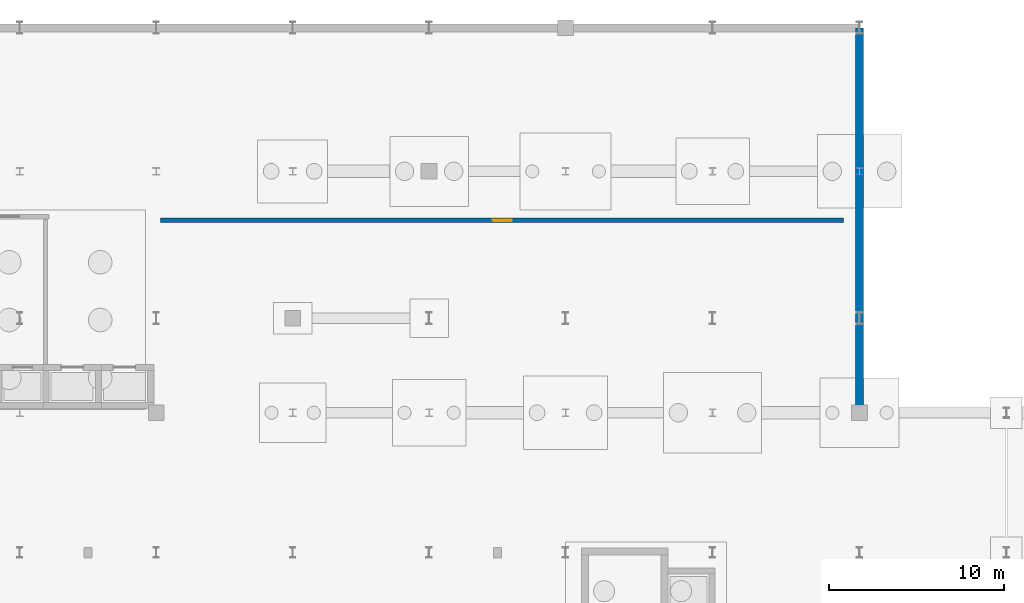
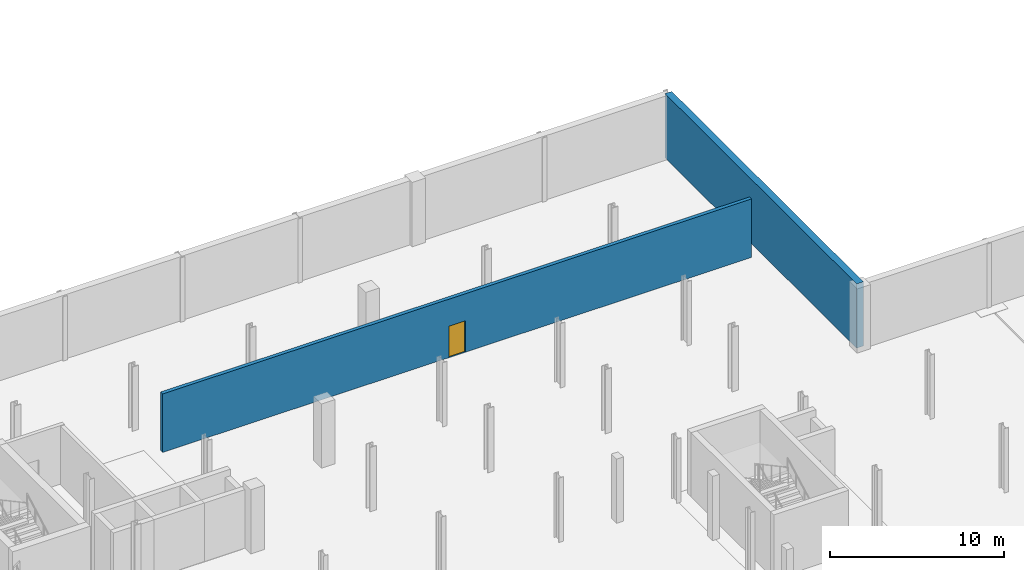
# One storey, part 30 of 45: 2 walls, 1 door, 1 opening.
"""IFC4 building model written with IfcOpenShell, lengths in metres."""

import ifcopenshell
import ifcopenshell.guid

model = None  # the IFC model being written
_history = None  # IfcOwnerHistory: only IFC2X3 demands one
_inside = {}  # id of a spatial element -> (the spatial element, [elements in it])
_under = {}  # id of a project, library or spatial element -> (it, [spatial elements below it])
_declared = {}  # id of a project -> (the project, [libraries it declares])
_typed = {}  # id of a type object -> (the type object, [elements of that type])
_made_of = {}  # id of a material, layer set ... -> (it, [elements and type objects made of it])


def new_model(schema):
    """Start an empty IFC model of exactly this schema.

    Asked for "IFC4X3", IfcOpenShell would pick the latest addendum, in which some entities
    have other attributes; the version numbers below select the first issue.
    IFC2X3 requires an IfcOwnerHistory on every rooted entity: one is made here for all.
    """
    global model, _history
    if schema == "IFC4X3":
        model = ifcopenshell.file(schema_version=(4, 3, 0, 0))
    else:
        model = ifcopenshell.file(schema=schema)
    _inside.clear()
    _under.clear()
    _declared.clear()
    _typed.clear()
    _made_of.clear()
    _history = None
    if model.schema == "IFC2X3":
        org = make("IfcOrganization", Name="unknown")
        user = make(
            "IfcPersonAndOrganization",
            ThePerson=make("IfcPerson", FamilyName="unknown"),
            TheOrganization=org,
        )
        app = make(
            "IfcApplication",
            ApplicationDeveloper=org,
            Version="unknown",
            ApplicationFullName="unknown",
            ApplicationIdentifier="unknown",
        )
        _history = make(
            "IfcOwnerHistory",
            OwningUser=user,
            OwningApplication=app,
            ChangeAction="ADDED",
            CreationDate=0,
        )
    return model


def make(cls, **values):
    """One entity of the class cls with the attributes given. An attribute that is None is left unset."""
    return model.create_entity(
        cls, **{name: value for name, value in values.items() if value is not None}
    )


def rooted(cls, **values):
    """An entity with a GlobalId (a new one), such as an element, a storey or a relation."""
    return make(cls, GlobalId=ifcopenshell.guid.new(), OwnerHistory=_history, **values)


def si_unit(unit_type, name, prefix=None):
    """IfcSIUnit, for example si_unit("LENGTHUNIT", "METRE", prefix="MILLI")."""
    return make("IfcSIUnit", UnitType=unit_type, Prefix=prefix, Name=name)


def assignment(units):
    """IfcUnitAssignment: the units of a project."""
    return None if units is None else make("IfcUnitAssignment", Units=units)


def point(xyz):
    """IfcCartesianPoint."""
    return None if xyz is None else make("IfcCartesianPoint", Coordinates=xyz)


def direction(xyz):
    """IfcDirection."""
    return None if xyz is None else make("IfcDirection", DirectionRatios=xyz)


def frame(location, z_axis=None, x_axis=None):
    """IfcAxis2Placement3D, a coordinate frame: its origin and axes. An axis left out is left unset."""
    return make(
        "IfcAxis2Placement3D",
        Location=point(location),
        Axis=direction(z_axis),
        RefDirection=direction(x_axis),
    )


def frame_2d(location, x_axis=None):
    """IfcAxis2Placement2D, a coordinate frame in the plane: its origin and x axis."""
    return make(
        "IfcAxis2Placement2D", Location=point(location), RefDirection=direction(x_axis)
    )


def origin():
    """The frame at (0, 0, 0) with its axes left unset."""
    return frame((0.0, 0.0, 0.0))


def place(relative_to, where):
    """IfcLocalPlacement: puts the frame where relative to a parent placement (None: the world)."""
    return make(
        "IfcLocalPlacement", PlacementRelTo=relative_to, RelativePlacement=where
    )


def context(
    kind, dimensions, precision=None, world=None, true_north=None, identifier=None
):
    """IfcGeometricRepresentationContext, for example the 3D "Model" context."""
    return make(
        "IfcGeometricRepresentationContext",
        ContextIdentifier=identifier,
        ContextType=kind,
        CoordinateSpaceDimension=dimensions,
        Precision=precision,
        WorldCoordinateSystem=world,
        TrueNorth=true_north,
    )


def subcontext(parent, identifier, kind, view, scale=None):
    """IfcGeometricRepresentationSubContext, for example "Body" below "Model"."""
    return make(
        "IfcGeometricRepresentationSubContext",
        ContextIdentifier=identifier,
        ContextType=kind,
        ParentContext=parent,
        TargetScale=scale,
        TargetView=view,
    )


def project(units=None, contexts=None):
    """IfcProject with its units and contexts."""
    return rooted(
        "IfcProject",
        Name="project",
        RepresentationContexts=contexts,
        UnitsInContext=assignment(units),
    )


def spatial(cls, under=None, at=None, **own):
    """A site, building, storey or space (cls), placed at a placement, below another one or the project."""
    s = rooted(cls, ObjectPlacement=at, **own)
    if under is not None:
        _under.setdefault(under.id(), (under, []))[1].append(s)
    return s


def profile(cls, at=None, kind="AREA", **sizes):
    """A parametric profile (cls). Its sizes go by their IFC names, for example OverallWidth=200.0."""
    return make(cls, ProfileType=kind, Position=at, **sizes)


def rectangle(**sizes):
    """IfcRectangleProfileDef."""
    return profile("IfcRectangleProfileDef", **sizes)


def extrude(swept, where, along, depth):
    """IfcExtrudedAreaSolid: the profile swept, set in the frame where, extruded along a direction by depth."""
    return make(
        "IfcExtrudedAreaSolid",
        SweptArea=swept,
        Position=where,
        ExtrudedDirection=direction(along),
        Depth=depth,
    )


def shape(context_of_items, identifier, shape_type, items):
    """IfcShapeRepresentation: the items that make up one representation, for example the "Body"."""
    return make(
        "IfcShapeRepresentation",
        ContextOfItems=context_of_items,
        RepresentationIdentifier=identifier,
        RepresentationType=shape_type,
        Items=items,
    )


def material(Name=None, Category=None):
    """IfcMaterial."""
    return make("IfcMaterial", Name=Name, Category=Category)


def layer(
    of_material, thickness, ventilated=None, Name=None, Category=None, Priority=None
):
    """IfcMaterialLayer: one layer of a wall or slab, of a material (None: an air gap)."""
    return make(
        "IfcMaterialLayer",
        Material=of_material,
        LayerThickness=thickness,
        IsVentilated=ventilated,
        Name=Name,
        Category=Category,
        Priority=Priority,
    )


def layer_set(layers, Name=None):
    """IfcMaterialLayerSet."""
    return make("IfcMaterialLayerSet", MaterialLayers=layers, LayerSetName=Name)


def made_of(thing, what):
    """Note that an element or type object is made of a material, layer set ...; save() writes the relation."""
    if what is not None:
        _made_of.setdefault(what.id(), (what, []))[1].append(thing)
    return thing


def type_object(cls, material=None, **own):
    """A type object (cls), such as IfcWallType, which elements share."""
    return made_of(rooted(cls, **own), material)


def element(
    cls,
    number,
    at=None,
    inside=None,
    cuts=None,
    type_object=None,
    material=None,
    context=None,
    identifier="Body",
    shape_type=None,
    held_by="IfcProductDefinitionShape",
    body=None,
    shapes=None,
    **own,
):
    """One element of the class cls, such as IfcWall. Its Tag is "e" and its number.

    at: its placement. inside: the storey or other place that contains it. cuts: it is an
    opening in that element (IfcRelVoidsElement). A single representation is given by context,
    identifier, shape_type and body (its items); several are given by shapes. held_by: the class
    of the entity that holds the representations. save() writes the other relations.
    """
    e = rooted(cls, Tag="e%d" % number, ObjectPlacement=at, **own)
    if body is not None:
        shapes = [shape(context, identifier, shape_type, body)]
    if shapes is not None:
        e.Representation = make(held_by, Representations=shapes)
    if inside is not None:
        _inside.setdefault(inside.id(), (inside, []))[1].append(e)
    if cuts is not None:
        rooted(
            "IfcRelVoidsElement", RelatingBuildingElement=cuts, RelatedOpeningElement=e
        )
    if type_object is not None:
        _typed.setdefault(type_object.id(), (type_object, []))[1].append(e)
    return made_of(e, material)


def fill(opening, filler):
    """IfcRelFillsElement: the door or window that sits in an opening."""
    return rooted(
        "IfcRelFillsElement",
        RelatingOpeningElement=opening,
        RelatedBuildingElement=filler,
    )


def aggregate(whole, parts):
    """IfcRelAggregates: a whole, such as a stair, and the parts it consists of."""
    return rooted("IfcRelAggregates", RelatingObject=whole, RelatedObjects=parts)


def save(model, path):
    """Write the relations noted so far, then the file.

    IfcRelAggregates (storeys below a building ...), IfcRelContainedInSpatialStructure (elements
    in a storey), IfcRelDefinesByType, IfcRelAssociatesMaterial and IfcRelDeclares: one each for
    every whole, place, type object, material and project.
    """
    for whole, parts in _under.values():
        aggregate(whole, parts)
    for where, things in _inside.values():
        rooted(
            "IfcRelContainedInSpatialStructure",
            RelatedElements=things,
            RelatingStructure=where,
        )
    for kind, things in _typed.values():
        rooted("IfcRelDefinesByType", RelatedObjects=things, RelatingType=kind)
    for what, things in _made_of.values():
        rooted("IfcRelAssociatesMaterial", RelatedObjects=things, RelatingMaterial=what)
    for by, libraries in _declared.values():
        rooted("IfcRelDeclares", RelatingContext=by, RelatedDefinitions=libraries)
    model.write(path)


model = new_model("IFC4")

# Units and contexts
model_context = context("Model", 3, precision=1e-05, world=origin(), true_north=direction((0.0, 1.0)))
body_context = subcontext(model_context, "Body", "Model", "MODEL_VIEW")
ifc_project = project(units=[si_unit("LENGTHUNIT", "METRE"), si_unit("AREAUNIT", "SQUARE_METRE"), si_unit("VOLUMEUNIT", "CUBIC_METRE"), si_unit("PLANEANGLEUNIT", "RADIAN"), si_unit("MASSUNIT", "GRAM", prefix="KILO")], contexts=[model_context])

# Site, building, storey
site_placement = place(None, origin())
site = spatial("IfcSite", under=ifc_project, at=site_placement, CompositionType="ELEMENT")
building_placement = place(site_placement, origin())
building = spatial("IfcBuilding", under=site, at=building_placement, Name="Sefraquen Railside Congress Hotel", CompositionType="ELEMENT")
storey_placement = place(building_placement, frame((0.0, 0.0, -4.5)))
storey = spatial("IfcBuildingStorey", under=building, at=storey_placement, Name="B01", CompositionType="ELEMENT", Elevation=-4.5)

# Wall, opening, door
ifc_material_1 = material(Name="Concrete C40/50", Category="concrete")
ifc_layer_1 = layer(ifc_material_1, 0.239990234375)
ifc_layer_set_1 = layer_set([ifc_layer_1], Name="Concrete C40/50")
wall_type_1 = type_object("IfcWallType", Name="TW-FW-240", PredefinedType="STANDARD", material=ifc_layer_set_1)
wall_1_placement = place(storey_placement, frame((80.050048828125, 107.0, 0.0), z_axis=(0.0, 0.0, 1.0), x_axis=(1.0, 0.0, 0.0)))
wall_1 = element("IfcWall", 1, at=wall_1_placement, inside=storey, type_object=wall_type_1, Name="Central Chiller and Heat Recovery Plant Room enclosure wall", PredefinedType="STANDARD", context=body_context, shape_type="SweptSolid", body=[
    extrude(rectangle(XDim=39.050048828125, YDim=0.239990234375, at=frame_2d((19.52490234375, 0.0))), origin(), (0.0, 0.0, 1.0), 4.10009765625),
])
opening_placement = place(wall_1_placement, frame((18.97509765625, 0.0, 0.0)))
opening = element("IfcOpeningElement", 2, at=opening_placement, cuts=wall_1, Name="Opening FD-04", PredefinedType="OPENING", context=body_context, shape_type="SweptSolid", body=[
    extrude(rectangle(XDim=1.10009765625, YDim=2.199951171875, at=frame_2d((0.550048828125, 1.10009765625))), frame((0.0, 0.1298828125, 0.0), z_axis=(0.0, -1.0, 0.0), x_axis=(1.0, 0.0, 0.0)), (0.0, 0.0, 1.0), 0.260009765625),
])
ifc_material_2 = material(Name="Fire-rated steel", Category="steel")
door_type = type_object("IfcDoorType", Name="TD-FD-04", OperationType="NOTDEFINED", PredefinedType="DOOR", material=ifc_material_2)
door_placement = place(opening_placement, origin())
door = element("IfcDoor", 3, at=door_placement, inside=storey, type_object=door_type, Name="Central Chiller and Heat Recovery Plant Room entrance door", OperationType="SINGLE_SWING_LEFT", OverallHeight=2.199951171875, OverallWidth=1.10009765625, PredefinedType="DOOR", context=body_context, shape_type="SweptSolid", body=[
    extrude(rectangle(XDim=1.10009765625, YDim=2.199951171875, at=frame_2d((0.550048828125, 1.10009765625))), frame((0.0, 0.02490234375, 0.0), z_axis=(0.0, -1.0, 0.0), x_axis=(1.0, 0.0, 0.0)), (0.0, 0.0, 1.0), 0.050048828125),
])
fill(opening, door)

# Wall
ifc_layer_2 = layer(ifc_material_1, 0.449951171875)
ifc_layer_set_2 = layer_set([ifc_layer_2], Name="Concrete C40/50")
wall_type_2 = type_object("IfcWallType", Name="TW-RW-450", PredefinedType="SOLIDWALL", material=ifc_layer_set_2)
wall_2_placement = place(storey_placement, frame((120.0, 96.0, 0.0), z_axis=(0.0, 0.0, 1.0), x_axis=(0.0, 1.0, 0.0)))
element("IfcWall", 4, at=wall_2_placement, inside=storey, type_object=wall_type_2, Name="Basement retaining wall W-B01-RW-08", PredefinedType="SOLIDWALL", context=body_context, shape_type="SweptSolid", body=[
    extrude(rectangle(XDim=22.0, YDim=0.449951171875, at=frame_2d((11.0, 0.0))), origin(), (0.0, 0.0, 1.0), 4.5),
])

save(model, "model.ifc")
